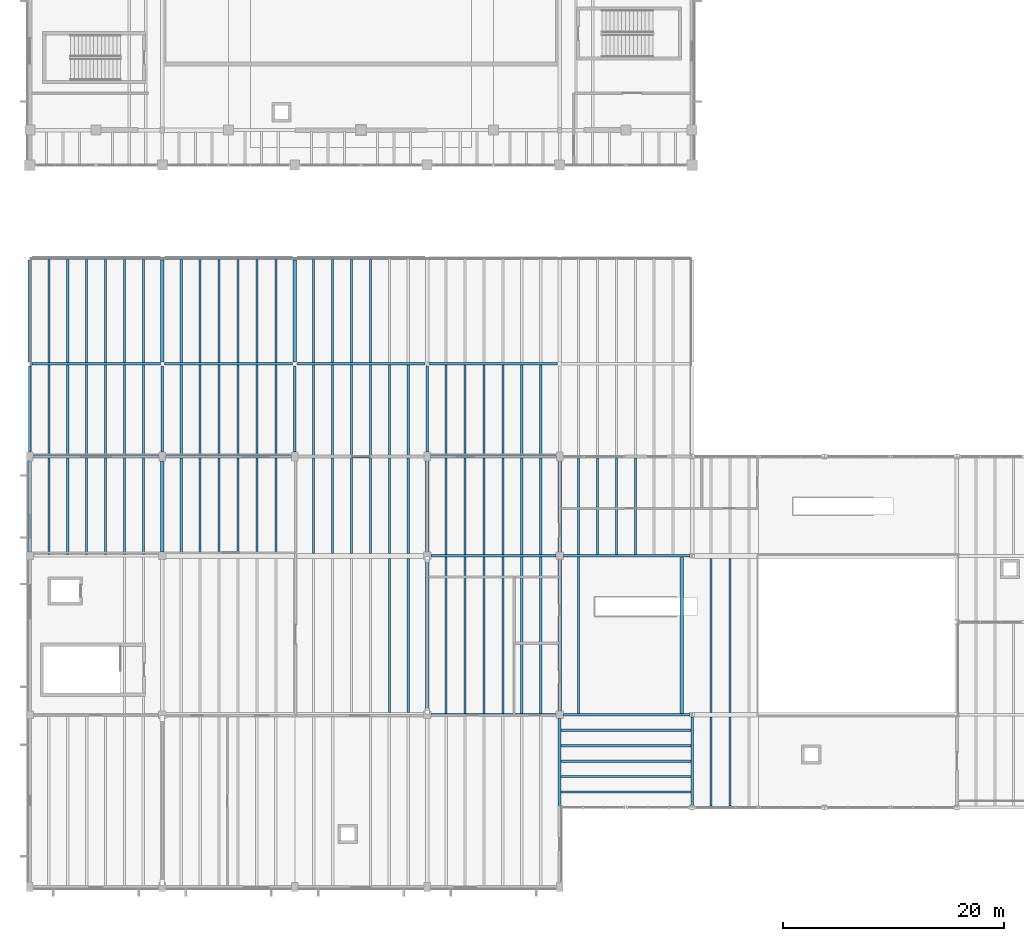
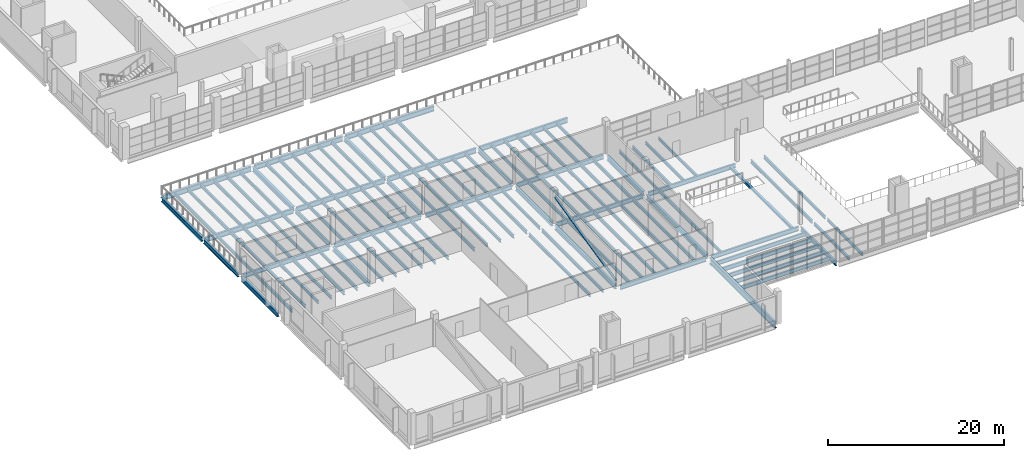
# One storey, part 11 of 78: 117 beams, 1 member.
"""IFC4 building model written with IfcOpenShell, lengths in metres."""

from ifc_helpers import new_model, si_unit, direction, frame, origin, origin_2d, place, context, subcontext, project, spatial, hollow_circle, i_section, extrude, material, material_profile, profile_set, type_object, element, save


model = new_model("IFC4")

# Units and contexts
model_context = context("Model", 3, precision=1e-05, world=origin(), true_north=direction((0.0, 1.0)))
body_context = subcontext(model_context, "Body", "Model", "MODEL_VIEW")
ifc_project = project(units=[si_unit("LENGTHUNIT", "METRE"), si_unit("AREAUNIT", "SQUARE_METRE"), si_unit("VOLUMEUNIT", "CUBIC_METRE"), si_unit("PLANEANGLEUNIT", "RADIAN"), si_unit("MASSUNIT", "GRAM", prefix="KILO")], contexts=[model_context])

# Site, building, storey
site_placement = place(None, origin())
site = spatial("IfcSite", under=ifc_project, at=site_placement, CompositionType="ELEMENT")
building_placement = place(site_placement, origin())
building = spatial("IfcBuilding", under=site, at=building_placement, Name="Kelmvaro Bay Concert Hall", CompositionType="ELEMENT")
storey_placement = place(building_placement, frame((0.0, 0.0, 9.300048828125)))
storey = spatial("IfcBuildingStorey", under=building, at=storey_placement, Name="L02", CompositionType="ELEMENT", Elevation=9.300048828125)

# Beams
ifc_material_1 = material(Name="Steel ASTM A992 Grade 50", Category="steel")
ifc_material_profile_1 = material_profile(ifc_material_1, i_section(OverallWidth=0.19189453125, OverallDepth=0.4619140625, WebThickness=0.010498046875, FlangeThickness=0.017578125, at=origin_2d()), Name="W18X60")
ifc_profile_set_1 = profile_set([ifc_material_profile_1], Name="Steel ASTM A992 Grade 50")
beam_type_1 = type_object("IfcBeamType", Name="Acoustic Box Floor Joist W18x60", PredefinedType="JOIST", material=ifc_profile_set_1)
for number, where, z_axis, x_axis, name in (
    (1, (32.5712890625, 15.824951171875, -0.48095703125), (0.0, 1.0, 0.0), (-1.0, 0.0, 0.0), "L02 Floor Joist JST-L02-0942"),
    (2, (34.28564453125, 15.824951171875, -0.48095703125), (0.0, 1.0, 0.0), (-1.0, 0.0, 0.0), "L02 Floor Joist JST-L02-0943"),
):
    element("IfcBeam", number, at=place(storey_placement, frame(where, z_axis=z_axis, x_axis=x_axis)), inside=storey, type_object=beam_type_1, Name=name, PredefinedType="JOIST", context=body_context, shape_type="SweptSolid", body=[
        extrude(i_section(OverallWidth=0.19189453125, OverallDepth=0.4619140625, WebThickness=0.010498046875, FlangeThickness=0.017578125, at=origin_2d()), origin(), (0.0, 0.0, 1.0), 13.949951171875),
    ])
for number, where, z_axis, x_axis, name in (
    (3, (37.71435546875, 15.714111328125, -0.48095703125), (0.0, 1.0, 0.0), (-1.0, 0.0, 0.0), "L02 Floor Joist JST-L02-0944"),
    (4, (39.4287109375, 15.714111328125, -0.48095703125), (0.0, 1.0, 0.0), (-1.0, 0.0, 0.0), "L02 Floor Joist JST-L02-0945"),
    (5, (41.142822265625, 15.714111328125, -0.48095703125), (0.0, 1.0, 0.0), (-1.0, 0.0, 0.0), "L02 Floor Joist JST-L02-0946"),
    (6, (42.857177734375, 15.714111328125, -0.48095703125), (0.0, 1.0, 0.0), (-1.0, 0.0, 0.0), "L02 Floor Joist JST-L02-0947"),
    (7, (44.5712890625, 15.714111328125, -0.48095703125), (0.0, 1.0, 0.0), (-1.0, 0.0, 0.0), "L02 Floor Joist JST-L02-0948"),
    (8, (46.28564453125, 15.714111328125, -0.48095703125), (0.0, 1.0, 0.0), (-1.0, 0.0, 0.0), "L02 Floor Joist JST-L02-0949"),
    (9, (49.71435546875, 15.714111328125, -0.48095703125), (0.0, 1.0, 0.0), (-1.0, 0.0, 0.0), "L02 Floor Joist JST-L02-0950"),
):
    element("IfcBeam", number, at=place(storey_placement, frame(where, z_axis=z_axis, x_axis=x_axis)), inside=storey, type_object=beam_type_1, Name=name, PredefinedType="JOIST", context=body_context, shape_type="SweptSolid", body=[
        extrude(i_section(OverallWidth=0.19189453125, OverallDepth=0.4619140625, WebThickness=0.010498046875, FlangeThickness=0.017578125, at=origin_2d()), origin(), (0.0, 0.0, 1.0), 14.171875),
    ])
for number, where, z_axis, x_axis, name in (
    (10, (61.71435546875, 15.824951171875, -0.48095703125), (0.0, 1.0, 0.0), (-1.0, 0.0, 0.0), "L02 Floor Joist JST-L02-0951"),
    (11, (63.4287109375, 15.824951171875, -0.48095703125), (0.0, 1.0, 0.0), (-1.0, 0.0, 0.0), "L02 Floor Joist JST-L02-0952"),
):
    element("IfcBeam", number, at=place(storey_placement, frame(where, z_axis=z_axis, x_axis=x_axis)), inside=storey, type_object=beam_type_1, Name=name, PredefinedType="JOIST", context=body_context, shape_type="SweptSolid", body=[
        extrude(i_section(OverallWidth=0.19189453125, OverallDepth=0.4619140625, WebThickness=0.010498046875, FlangeThickness=0.017578125, at=origin_2d()), origin(), (0.0, 0.0, 1.0), 13.949951171875),
    ])
ifc_material_2 = material(Name="Steel ASTM A992 Grade 50", Category="steel")
ifc_material_profile_2 = material_profile(ifc_material_2, i_section(OverallWidth=0.323974609375, OverallDepth=0.611083984375, WebThickness=0.0126953125, FlangeThickness=0.01904296875, at=origin_2d()), Name="W24X104")
ifc_profile_set_2 = profile_set([ifc_material_profile_2], Name="Steel ASTM A992 Grade 50")
beam_type_2 = type_object("IfcBeamType", Name="Foyer Frame Girder W24x104", PredefinedType="BEAM", material=ifc_profile_set_2)
beam_1_placement = place(storey_placement, frame((0.0, 30.35009765625, -0.5556640625), z_axis=(0.0, 1.0, 0.0), x_axis=(-1.0, 0.0, 0.0)))
element("IfcBeam", 12, at=beam_1_placement, inside=storey, type_object=beam_type_2, Name="L02 Girder BM-L02-NS-0797", PredefinedType="BEAM", context=body_context, shape_type="SweptSolid", body=[
    extrude(i_section(OverallWidth=0.323974609375, OverallDepth=0.611083984375, WebThickness=0.0126953125, FlangeThickness=0.01904296875, at=origin_2d()), origin(), (0.0, 0.0, 1.0), 8.25),
])
beam_2_placement = place(storey_placement, frame((0.0, 47.58642578125, -0.545654296875), z_axis=(0.0, 1.0, 0.0), x_axis=(-1.0, 0.0, 0.0)))
element("IfcBeam", 13, at=beam_2_placement, inside=storey, type_object=beam_type_2, Name="L02 Girder BM-L02-NS-0799", PredefinedType="BEAM", context=body_context, shape_type="SweptSolid", body=[
    extrude(i_section(OverallWidth=0.323974609375, OverallDepth=0.611083984375, WebThickness=0.0126953125, FlangeThickness=0.01904296875, at=origin_2d()), origin(), (0.0, 0.0, 1.0), 9.22705078125),
])
beam_3_placement = place(storey_placement, frame((12.0, 30.35009765625, -0.5556640625), z_axis=(0.0, 1.0, 0.0), x_axis=(-1.0, 0.0, 0.0)))
element("IfcBeam", 14, at=beam_3_placement, inside=storey, type_object=beam_type_2, Name="L02 Girder BM-L02-NS-0807", PredefinedType="BEAM", context=body_context, shape_type="SweptSolid", body=[
    extrude(i_section(OverallWidth=0.323974609375, OverallDepth=0.611083984375, WebThickness=0.0126953125, FlangeThickness=0.01904296875, at=origin_2d()), origin(), (0.0, 0.0, 1.0), 8.25),
])
for number, where, z_axis, x_axis, name in (
    (15, (12.0, 47.58642578125, -0.545654296875), (0.0, 1.0, 0.0), (-1.0, 0.0, 0.0), "L02 Girder BM-L02-NS-0809"),
    (16, (24.0, 47.58642578125, -0.545654296875), (0.0, 1.0, 0.0), (-1.0, 0.0, 0.0), "L02 Girder BM-L02-NS-0816"),
):
    element("IfcBeam", number, at=place(storey_placement, frame(where, z_axis=z_axis, x_axis=x_axis)), inside=storey, type_object=beam_type_2, Name=name, PredefinedType="BEAM", context=body_context, shape_type="SweptSolid", body=[
        extrude(i_section(OverallWidth=0.323974609375, OverallDepth=0.611083984375, WebThickness=0.0126953125, FlangeThickness=0.01904296875, at=origin_2d()), origin(), (0.0, 0.0, 1.0), 9.22705078125),
    ])
beam_4_placement = place(storey_placement, frame((36.0, 15.949951171875, -0.5556640625), z_axis=(0.0, 1.0, 0.0), x_axis=(-1.0, 0.0, 0.0)))
element("IfcBeam", 17, at=beam_4_placement, inside=storey, type_object=beam_type_2, Name="L02 Girder BM-L02-NS-0818", PredefinedType="BEAM", context=body_context, shape_type="SweptSolid", body=[
    extrude(i_section(OverallWidth=0.323974609375, OverallDepth=0.611083984375, WebThickness=0.0126953125, FlangeThickness=0.01904296875, at=origin_2d()), origin(), (0.0, 0.0, 1.0), 13.699951171875),
])
beam_5_placement = place(storey_placement, frame((36.0, 30.35009765625, -0.5556640625), z_axis=(0.0, 1.0, 0.0), x_axis=(-1.0, 0.0, 0.0)))
element("IfcBeam", 18, at=beam_5_placement, inside=storey, type_object=beam_type_2, Name="L02 Girder BM-L02-NS-0819", PredefinedType="BEAM", context=body_context, shape_type="SweptSolid", body=[
    extrude(i_section(OverallWidth=0.323974609375, OverallDepth=0.611083984375, WebThickness=0.0126953125, FlangeThickness=0.01904296875, at=origin_2d()), origin(), (0.0, 0.0, 1.0), 8.25),
])
beam_6_placement = place(storey_placement, frame((48.0, 15.949951171875, -0.5556640625), z_axis=(0.0, 1.0, 0.0), x_axis=(-1.0, 0.0, 0.0)))
element("IfcBeam", 19, at=beam_6_placement, inside=storey, type_object=beam_type_2, Name="L02 Girder BM-L02-NS-0823", PredefinedType="BEAM", context=body_context, shape_type="SweptSolid", body=[
    extrude(i_section(OverallWidth=0.323974609375, OverallDepth=0.611083984375, WebThickness=0.0126953125, FlangeThickness=0.01904296875, at=origin_2d()), origin(), (0.0, 0.0, 1.0), 13.699951171875),
])
beam_7_placement = place(storey_placement, frame((48.0, 30.35009765625, -0.5556640625), z_axis=(0.0, 1.0, 0.0), x_axis=(-1.0, 0.0, 0.0)))
element("IfcBeam", 20, at=beam_7_placement, inside=storey, type_object=beam_type_2, Name="L02 Girder BM-L02-NS-0824", PredefinedType="BEAM", context=body_context, shape_type="SweptSolid", body=[
    extrude(i_section(OverallWidth=0.323974609375, OverallDepth=0.611083984375, WebThickness=0.0126953125, FlangeThickness=0.01904296875, at=origin_2d()), origin(), (0.0, 0.0, 1.0), 8.25),
])

# Member
ifc_material_3 = material(Name="Steel ASTM A500 Grade C", Category="steel")
ifc_material_profile_3 = material_profile(ifc_material_3, hollow_circle(Radius=0.162109375, WallThickness=0.012451171875, at=origin_2d()), Name="CHS324X12")
ifc_profile_set_3 = profile_set([ifc_material_profile_3], Name="Steel ASTM A500 Grade C")
member_type = type_object("IfcMemberType", Name="Foyer Portal Brace CHS324x12", PredefinedType="BRACE", material=ifc_profile_set_3)
member_placement = place(storey_placement, frame((36.0, 15.951904296875, 0.350341796875), z_axis=(0.0, 0.973786509129, 0.227463919421), x_axis=(-1.0, 0.0, 0.0)))
element("IfcMember", 21, at=member_placement, inside=storey, type_object=member_type, Name="L02 Lateral Diagonal Brace V3-ET", PredefinedType="BRACE", context=body_context, shape_type="SweptSolid", body=[
    extrude(hollow_circle(Radius=0.162109375, WallThickness=0.012451171875, at=origin_2d()), origin(), (0.0, 0.0, 1.0), 14.064697265625),
])

# Beams
ifc_material_4 = material(Name="Steel ASTM A992 Grade 50", Category="steel")
ifc_material_profile_4 = material_profile(ifc_material_4, i_section(OverallWidth=0.256103515625, OverallDepth=0.693115234375, WebThickness=0.014404296875, FlangeThickness=0.023681640625, at=origin_2d()), Name="W27X114")
ifc_profile_set_4 = profile_set([ifc_material_profile_4], Name="Steel ASTM A992 Grade 50")
beam_type_3 = type_object("IfcBeamType", Name="Foyer Primary Girder W27x114", PredefinedType="BEAM", material=ifc_profile_set_4)
for number, where, z_axis, x_axis, name in (
    (22, (0.1865234375, 47.39990234375, -0.586669921875), (1.0, 0.0, 0.0), (0.0, 1.0, 0.0), "L02 Girder BM-L02-EW-0735"),
    (23, (12.1865234375, 47.39990234375, -0.586669921875), (1.0, 0.0, 0.0), (0.0, 1.0, 0.0), "L02 Girder BM-L02-EW-0736"),
    (24, (24.1865234375, 47.39990234375, -0.586669921875), (1.0, 0.0, 0.0), (0.0, 1.0, 0.0), "L02 Girder BM-L02-EW-0737"),
    (25, (36.1865234375, 47.39990234375, -0.586669921875), (1.0, 0.0, 0.0), (0.0, 1.0, 0.0), "L02 Girder BM-L02-EW-0738"),
    (26, (0.1865234375, 57.0, -0.586669921875), (1.0, 0.0, 0.0), (0.0, 1.0, 0.0), "L02 Girder BM-L02-EW-0742"),
    (27, (12.1865234375, 57.0, -0.586669921875), (1.0, 0.0, 0.0), (0.0, 1.0, 0.0), "L02 Girder BM-L02-EW-0743"),
    (28, (24.1865234375, 57.0, -0.586669921875), (1.0, 0.0, 0.0), (0.0, 1.0, 0.0), "L02 Girder BM-L02-EW-0744"),
):
    element("IfcBeam", number, at=place(storey_placement, frame(where, z_axis=z_axis, x_axis=x_axis)), inside=storey, type_object=beam_type_3, Name=name, PredefinedType="BEAM", context=body_context, shape_type="SweptSolid", body=[
        extrude(i_section(OverallWidth=0.256103515625, OverallDepth=0.693115234375, WebThickness=0.014404296875, FlangeThickness=0.023681640625, at=origin_2d()), origin(), (0.0, 0.0, 1.0), 11.626953125),
    ])
ifc_material_5 = material(Name="Steel ASTM A992 Grade 50", Category="steel")
ifc_material_profile_5 = material_profile(ifc_material_5, i_section(OverallWidth=0.2919921875, OverallDepth=0.845947265625, WebThickness=0.015380859375, FlangeThickness=0.0244140625, at=origin_2d()), Name="W33X141")
ifc_profile_set_5 = profile_set([ifc_material_profile_5], Name="Steel ASTM A992 Grade 50")
beam_type_4 = type_object("IfcBeamType", Name="Hall Gallery Girder W33x141", PredefinedType="BEAM", material=ifc_profile_set_5)
beam_8_placement = place(storey_placement, frame((48.0, 0.39990234375, -0.673095703125), z_axis=(0.0, 1.0, 0.0), x_axis=(-1.0, 0.0, 0.0)))
element("IfcBeam", 29, at=beam_8_placement, inside=storey, type_object=beam_type_4, Name="L02 Girder BM-L02-NS-0822", PredefinedType="BEAM", context=body_context, shape_type="SweptSolid", body=[
    extrude(i_section(OverallWidth=0.2919921875, OverallDepth=0.845947265625, WebThickness=0.015380859375, FlangeThickness=0.0244140625, at=origin_2d()), origin(), (0.0, 0.0, 1.0), 14.85009765625),
])
ifc_material_6 = material(Name="Steel ASTM A992 Grade 50", Category="steel")
ifc_material_profile_6 = material_profile(ifc_material_6, i_section(OverallWidth=0.2099609375, OverallDepth=0.535888671875, WebThickness=0.010986328125, FlangeThickness=0.017333984375, at=origin_2d()), Name="W21X68")
ifc_profile_set_6 = profile_set([ifc_material_profile_6], Name="Steel ASTM A992 Grade 50")
beam_type_5 = type_object("IfcBeamType", Name="Heavy Floor Joist W21x68", PredefinedType="JOIST", material=ifc_profile_set_6)
for number, where, z_axis, x_axis, name in (
    (30, (48.14599609375, 8.60009765625, -0.51806640625), (1.0, 0.0, 0.0), (0.0, 1.0, 0.0), "L02 Floor Joist JST-L02-EW-1323"),
    (31, (48.14599609375, 10.0, -0.51806640625), (1.0, 0.0, 0.0), (0.0, 1.0, 0.0), "L02 Floor Joist JST-L02-EW-1324"),
    (32, (48.14599609375, 11.39990234375, -0.51806640625), (1.0, 0.0, 0.0), (0.0, 1.0, 0.0), "L02 Floor Joist JST-L02-EW-1325"),
    (33, (48.14599609375, 12.800048828125, -0.51806640625), (1.0, 0.0, 0.0), (0.0, 1.0, 0.0), "L02 Floor Joist JST-L02-EW-1326"),
    (34, (48.14599609375, 14.199951171875, -0.51806640625), (1.0, 0.0, 0.0), (0.0, 1.0, 0.0), "L02 Floor Joist JST-L02-EW-1327"),
):
    element("IfcBeam", number, at=place(storey_placement, frame(where, z_axis=z_axis, x_axis=x_axis)), inside=storey, type_object=beam_type_5, Name=name, PredefinedType="JOIST", context=body_context, shape_type="SweptSolid", body=[
        extrude(i_section(OverallWidth=0.2099609375, OverallDepth=0.535888671875, WebThickness=0.010986328125, FlangeThickness=0.017333984375, at=origin_2d()), origin(), (0.0, 0.0, 1.0), 11.739501953125),
    ])
ifc_material_7 = material(Name="Steel ASTM A992 Grade 50", Category="steel")
ifc_material_profile_7 = material_profile(ifc_material_7, i_section(OverallWidth=0.22802734375, OverallDepth=0.60693359375, WebThickness=0.01123046875, FlangeThickness=0.017333984375, at=origin_2d()), Name="W24X76")
ifc_profile_set_7 = profile_set([ifc_material_profile_7], Name="Steel ASTM A992 Grade 50")
beam_type_6 = type_object("IfcBeamType", Name="Pavilion Secondary Girder W24x76", PredefinedType="BEAM", material=ifc_profile_set_7)
beam_9_placement = place(storey_placement, frame((36.35009765625, 15.60009765625, -0.553466796875), z_axis=(1.0, 0.0, 0.0), x_axis=(0.0, 1.0, 0.0)))
element("IfcBeam", 35, at=beam_9_placement, inside=storey, type_object=beam_type_6, Name="L02 Girder BM-L02-EW-0694", PredefinedType="BEAM", context=body_context, shape_type="SweptSolid", body=[
    extrude(i_section(OverallWidth=0.22802734375, OverallDepth=0.60693359375, WebThickness=0.01123046875, FlangeThickness=0.017333984375, at=origin_2d()), origin(), (0.0, 0.0, 1.0), 11.2998046875),
])
beam_10_placement = place(storey_placement, frame((48.35009765625, 15.60009765625, -0.553466796875), z_axis=(1.0, 0.0, 0.0), x_axis=(0.0, 1.0, 0.0)))
element("IfcBeam", 36, at=beam_10_placement, inside=storey, type_object=beam_type_6, Name="L02 Girder BM-L02-EW-0695", PredefinedType="BEAM", context=body_context, shape_type="SweptSolid", body=[
    extrude(i_section(OverallWidth=0.22802734375, OverallDepth=0.60693359375, WebThickness=0.01123046875, FlangeThickness=0.017333984375, at=origin_2d()), origin(), (0.0, 0.0, 1.0), 11.450439453125),
])
beam_11_placement = place(storey_placement, frame((36.35009765625, 30.0, -0.553466796875), z_axis=(1.0, 0.0, 0.0), x_axis=(0.0, 1.0, 0.0)))
element("IfcBeam", 37, at=beam_11_placement, inside=storey, type_object=beam_type_6, Name="L02 Girder BM-L02-EW-0711", PredefinedType="BEAM", context=body_context, shape_type="SweptSolid", body=[
    extrude(i_section(OverallWidth=0.22802734375, OverallDepth=0.60693359375, WebThickness=0.01123046875, FlangeThickness=0.017333984375, at=origin_2d()), origin(), (0.0, 0.0, 1.0), 11.2998046875),
])
beam_12_placement = place(storey_placement, frame((48.35009765625, 30.0, -0.553466796875), z_axis=(1.0, 0.0, 0.0), x_axis=(0.0, 1.0, 0.0)))
element("IfcBeam", 38, at=beam_12_placement, inside=storey, type_object=beam_type_6, Name="L02 Girder BM-L02-EW-0712", PredefinedType="BEAM", context=body_context, shape_type="SweptSolid", body=[
    extrude(i_section(OverallWidth=0.22802734375, OverallDepth=0.60693359375, WebThickness=0.01123046875, FlangeThickness=0.017333984375, at=origin_2d()), origin(), (0.0, 0.0, 1.0), 11.450439453125),
])
for number, where, z_axis, x_axis, name in (
    (39, (0.300048828125, 39.0, -0.553466796875), (1.0, 0.0, 0.0), (0.0, 1.0, 0.0), "L02 Girder BM-L02-EW-0721"),
    (40, (12.300048828125, 39.0, -0.553466796875), (1.0, 0.0, 0.0), (0.0, 1.0, 0.0), "L02 Girder BM-L02-EW-0722"),
    (41, (24.300048828125, 39.0, -0.553466796875), (1.0, 0.0, 0.0), (0.0, 1.0, 0.0), "L02 Girder BM-L02-EW-0723"),
    (42, (36.300048828125, 39.0, -0.553466796875), (1.0, 0.0, 0.0), (0.0, 1.0, 0.0), "L02 Girder BM-L02-EW-0724"),
):
    element("IfcBeam", number, at=place(storey_placement, frame(where, z_axis=z_axis, x_axis=x_axis)), inside=storey, type_object=beam_type_6, Name=name, PredefinedType="BEAM", context=body_context, shape_type="SweptSolid", body=[
        extrude(i_section(OverallWidth=0.22802734375, OverallDepth=0.60693359375, WebThickness=0.01123046875, FlangeThickness=0.017333984375, at=origin_2d()), origin(), (0.0, 0.0, 1.0), 11.39990234375),
    ])
ifc_material_8 = material(Name="Steel ASTM A992 Grade 50", Category="steel")
ifc_material_profile_8 = material_profile(ifc_material_8, i_section(OverallWidth=0.306884765625, OverallDepth=0.318115234375, WebThickness=0.01318359375, FlangeThickness=0.0205078125, at=origin_2d()), Name="W12X87")
ifc_profile_set_8 = profile_set([ifc_material_profile_8], Name="Steel ASTM A992 Grade 50")
beam_type_7 = type_object("IfcBeamType", Name="Roof Hatch Trimmer Beam W12x87", PredefinedType="BEAM", material=ifc_profile_set_8)
beam_13_placement = place(storey_placement, frame((59.050048828125, 15.72998046875, -0.408935546875), z_axis=(0.0, 1.0, 0.0), x_axis=(-1.0, 0.0, 0.0)))
element("IfcBeam", 43, at=beam_13_placement, inside=storey, type_object=beam_type_7, Name="L02 Stair Well Trimmer Beam 1", PredefinedType="BEAM", context=body_context, shape_type="SweptSolid", body=[
    extrude(i_section(OverallWidth=0.306884765625, OverallDepth=0.318115234375, WebThickness=0.01318359375, FlangeThickness=0.0205078125, at=origin_2d()), origin(), (0.0, 0.0, 1.0), 14.14013671875),
])
ifc_material_9 = material(Name="Steel ASTM A992 Grade 50", Category="steel")
ifc_material_profile_9 = material_profile(ifc_material_9, i_section(OverallWidth=0.19091796875, OverallDepth=0.45703125, WebThickness=0.009033203125, FlangeThickness=0.014404296875, at=origin_2d()), Name="W18X50")
ifc_profile_set_9 = profile_set([ifc_material_profile_9], Name="Steel ASTM A992 Grade 50")
beam_type_8 = type_object("IfcBeamType", Name="Standard Composite Floor Joist W18x50", PredefinedType="JOIST", material=ifc_profile_set_9)
for number, where, z_axis, x_axis, name in (
    (44, (1.71435546875, 30.114013671875, -0.478515625), (0.0, 1.0, 0.0), (-1.0, 0.0, 0.0), "L02 Floor Joist JST-L02-1021"),
    (45, (3.4287109375, 30.114013671875, -0.478515625), (0.0, 1.0, 0.0), (-1.0, 0.0, 0.0), "L02 Floor Joist JST-L02-1022"),
    (46, (5.142822265625, 30.114013671875, -0.478515625), (0.0, 1.0, 0.0), (-1.0, 0.0, 0.0), "L02 Floor Joist JST-L02-1023"),
    (47, (6.857177734375, 30.114013671875, -0.478515625), (0.0, 1.0, 0.0), (-1.0, 0.0, 0.0), "L02 Floor Joist JST-L02-1024"),
    (48, (8.5712890625, 30.114013671875, -0.478515625), (0.0, 1.0, 0.0), (-1.0, 0.0, 0.0), "L02 Floor Joist JST-L02-1025"),
    (49, (10.28564453125, 30.114013671875, -0.478515625), (0.0, 1.0, 0.0), (-1.0, 0.0, 0.0), "L02 Floor Joist JST-L02-1026"),
):
    element("IfcBeam", number, at=place(storey_placement, frame(where, z_axis=z_axis, x_axis=x_axis)), inside=storey, type_object=beam_type_8, Name=name, PredefinedType="JOIST", context=body_context, shape_type="SweptSolid", body=[
        extrude(i_section(OverallWidth=0.19091796875, OverallDepth=0.45703125, WebThickness=0.009033203125, FlangeThickness=0.014404296875, at=origin_2d()), origin(), (0.0, 0.0, 1.0), 8.77197265625),
    ])
for number, where, z_axis, x_axis, name in (
    (50, (13.71435546875, 30.22509765625, -0.478515625), (0.0, 1.0, 0.0), (-1.0, 0.0, 0.0), "L02 Floor Joist JST-L02-1027"),
    (51, (15.4287109375, 30.22509765625, -0.478515625), (0.0, 1.0, 0.0), (-1.0, 0.0, 0.0), "L02 Floor Joist JST-L02-1028"),
    (52, (17.142822265625, 30.22509765625, -0.478515625), (0.0, 1.0, 0.0), (-1.0, 0.0, 0.0), "L02 Floor Joist JST-L02-1029"),
    (53, (18.857177734375, 30.22509765625, -0.478515625), (0.0, 1.0, 0.0), (-1.0, 0.0, 0.0), "L02 Floor Joist JST-L02-1030"),
    (54, (20.5712890625, 30.22509765625, -0.478515625), (0.0, 1.0, 0.0), (-1.0, 0.0, 0.0), "L02 Floor Joist JST-L02-1031"),
    (55, (22.28564453125, 30.22509765625, -0.478515625), (0.0, 1.0, 0.0), (-1.0, 0.0, 0.0), "L02 Floor Joist JST-L02-1032"),
    (56, (25.71435546875, 30.22509765625, -0.478515625), (0.0, 1.0, 0.0), (-1.0, 0.0, 0.0), "L02 Floor Joist JST-L02-1033"),
    (57, (27.4287109375, 30.22509765625, -0.478515625), (0.0, 1.0, 0.0), (-1.0, 0.0, 0.0), "L02 Floor Joist JST-L02-1034"),
    (58, (29.142822265625, 30.22509765625, -0.478515625), (0.0, 1.0, 0.0), (-1.0, 0.0, 0.0), "L02 Floor Joist JST-L02-1035"),
    (59, (30.857177734375, 30.22509765625, -0.478515625), (0.0, 1.0, 0.0), (-1.0, 0.0, 0.0), "L02 Floor Joist JST-L02-1036"),
    (60, (32.5712890625, 30.22509765625, -0.478515625), (0.0, 1.0, 0.0), (-1.0, 0.0, 0.0), "L02 Floor Joist JST-L02-1037"),
    (61, (34.28564453125, 30.22509765625, -0.478515625), (0.0, 1.0, 0.0), (-1.0, 0.0, 0.0), "L02 Floor Joist JST-L02-1038"),
):
    element("IfcBeam", number, at=place(storey_placement, frame(where, z_axis=z_axis, x_axis=x_axis)), inside=storey, type_object=beam_type_8, Name=name, PredefinedType="JOIST", context=body_context, shape_type="SweptSolid", body=[
        extrude(i_section(OverallWidth=0.19091796875, OverallDepth=0.45703125, WebThickness=0.009033203125, FlangeThickness=0.014404296875, at=origin_2d()), origin(), (0.0, 0.0, 1.0), 8.660888671875),
    ])
for number, where, z_axis, x_axis, name in (
    (62, (37.71435546875, 30.114013671875, -0.478515625), (0.0, 1.0, 0.0), (-1.0, 0.0, 0.0), "L02 Floor Joist JST-L02-1039"),
    (63, (39.4287109375, 30.114013671875, -0.478515625), (0.0, 1.0, 0.0), (-1.0, 0.0, 0.0), "L02 Floor Joist JST-L02-1040"),
    (64, (41.142822265625, 30.114013671875, -0.478515625), (0.0, 1.0, 0.0), (-1.0, 0.0, 0.0), "L02 Floor Joist JST-L02-1041"),
    (65, (42.857177734375, 30.114013671875, -0.478515625), (0.0, 1.0, 0.0), (-1.0, 0.0, 0.0), "L02 Floor Joist JST-L02-1042"),
    (66, (44.5712890625, 30.114013671875, -0.478515625), (0.0, 1.0, 0.0), (-1.0, 0.0, 0.0), "L02 Floor Joist JST-L02-1043"),
    (67, (46.28564453125, 30.114013671875, -0.478515625), (0.0, 1.0, 0.0), (-1.0, 0.0, 0.0), "L02 Floor Joist JST-L02-1044"),
):
    element("IfcBeam", number, at=place(storey_placement, frame(where, z_axis=z_axis, x_axis=x_axis)), inside=storey, type_object=beam_type_8, Name=name, PredefinedType="JOIST", context=body_context, shape_type="SweptSolid", body=[
        extrude(i_section(OverallWidth=0.19091796875, OverallDepth=0.45703125, WebThickness=0.009033203125, FlangeThickness=0.014404296875, at=origin_2d()), origin(), (0.0, 0.0, 1.0), 8.77197265625),
    ])
for number, where, z_axis, x_axis, name in (
    (68, (1.71435546875, 39.114013671875, -0.468505859375), (0.0, 1.0, 0.0), (-1.0, 0.0, 0.0), "L02 Floor Joist JST-L02-1096"),
    (69, (3.4287109375, 39.114013671875, -0.468505859375), (0.0, 1.0, 0.0), (-1.0, 0.0, 0.0), "L02 Floor Joist JST-L02-1097"),
    (70, (5.142822265625, 39.114013671875, -0.468505859375), (0.0, 1.0, 0.0), (-1.0, 0.0, 0.0), "L02 Floor Joist JST-L02-1098"),
    (71, (6.857177734375, 39.114013671875, -0.468505859375), (0.0, 1.0, 0.0), (-1.0, 0.0, 0.0), "L02 Floor Joist JST-L02-1099"),
    (72, (8.5712890625, 39.114013671875, -0.468505859375), (0.0, 1.0, 0.0), (-1.0, 0.0, 0.0), "L02 Floor Joist JST-L02-1100"),
    (73, (10.28564453125, 39.114013671875, -0.468505859375), (0.0, 1.0, 0.0), (-1.0, 0.0, 0.0), "L02 Floor Joist JST-L02-1101"),
    (74, (13.71435546875, 39.114013671875, -0.468505859375), (0.0, 1.0, 0.0), (-1.0, 0.0, 0.0), "L02 Floor Joist JST-L02-1102"),
    (75, (15.4287109375, 39.114013671875, -0.468505859375), (0.0, 1.0, 0.0), (-1.0, 0.0, 0.0), "L02 Floor Joist JST-L02-1103"),
    (76, (17.142822265625, 39.114013671875, -0.468505859375), (0.0, 1.0, 0.0), (-1.0, 0.0, 0.0), "L02 Floor Joist JST-L02-1104"),
    (77, (18.857177734375, 39.114013671875, -0.468505859375), (0.0, 1.0, 0.0), (-1.0, 0.0, 0.0), "L02 Floor Joist JST-L02-1105"),
    (78, (20.5712890625, 39.114013671875, -0.468505859375), (0.0, 1.0, 0.0), (-1.0, 0.0, 0.0), "L02 Floor Joist JST-L02-1106"),
    (79, (22.28564453125, 39.114013671875, -0.468505859375), (0.0, 1.0, 0.0), (-1.0, 0.0, 0.0), "L02 Floor Joist JST-L02-1107"),
    (80, (25.71435546875, 39.114013671875, -0.468505859375), (0.0, 1.0, 0.0), (-1.0, 0.0, 0.0), "L02 Floor Joist JST-L02-1108"),
    (81, (27.4287109375, 39.114013671875, -0.468505859375), (0.0, 1.0, 0.0), (-1.0, 0.0, 0.0), "L02 Floor Joist JST-L02-1109"),
    (82, (29.142822265625, 39.114013671875, -0.468505859375), (0.0, 1.0, 0.0), (-1.0, 0.0, 0.0), "L02 Floor Joist JST-L02-1110"),
    (83, (30.857177734375, 39.114013671875, -0.468505859375), (0.0, 1.0, 0.0), (-1.0, 0.0, 0.0), "L02 Floor Joist JST-L02-1111"),
    (84, (32.5712890625, 39.114013671875, -0.468505859375), (0.0, 1.0, 0.0), (-1.0, 0.0, 0.0), "L02 Floor Joist JST-L02-1112"),
    (85, (34.28564453125, 39.114013671875, -0.468505859375), (0.0, 1.0, 0.0), (-1.0, 0.0, 0.0), "L02 Floor Joist JST-L02-1113"),
    (86, (37.71435546875, 39.114013671875, -0.468505859375), (0.0, 1.0, 0.0), (-1.0, 0.0, 0.0), "L02 Floor Joist JST-L02-1114"),
    (87, (39.4287109375, 39.114013671875, -0.468505859375), (0.0, 1.0, 0.0), (-1.0, 0.0, 0.0), "L02 Floor Joist JST-L02-1115"),
    (88, (41.142822265625, 39.114013671875, -0.468505859375), (0.0, 1.0, 0.0), (-1.0, 0.0, 0.0), "L02 Floor Joist JST-L02-1116"),
    (89, (42.857177734375, 39.114013671875, -0.468505859375), (0.0, 1.0, 0.0), (-1.0, 0.0, 0.0), "L02 Floor Joist JST-L02-1117"),
    (90, (44.5712890625, 39.114013671875, -0.468505859375), (0.0, 1.0, 0.0), (-1.0, 0.0, 0.0), "L02 Floor Joist JST-L02-1118"),
    (91, (46.28564453125, 39.114013671875, -0.468505859375), (0.0, 1.0, 0.0), (-1.0, 0.0, 0.0), "L02 Floor Joist JST-L02-1119"),
):
    element("IfcBeam", number, at=place(storey_placement, frame(where, z_axis=z_axis, x_axis=x_axis)), inside=storey, type_object=beam_type_8, Name=name, PredefinedType="JOIST", context=body_context, shape_type="SweptSolid", body=[
        extrude(i_section(OverallWidth=0.19091796875, OverallDepth=0.45703125, WebThickness=0.009033203125, FlangeThickness=0.014404296875, at=origin_2d()), origin(), (0.0, 0.0, 1.0), 8.157958984375),
    ])
for number, where, z_axis, x_axis, name in (
    (92, (1.71435546875, 47.528076171875, -0.468505859375), (0.0, 1.0, 0.0), (-1.0, 0.0, 0.0), "L02 Floor Joist JST-L02-1138"),
    (93, (3.4287109375, 47.528076171875, -0.468505859375), (0.0, 1.0, 0.0), (-1.0, 0.0, 0.0), "L02 Floor Joist JST-L02-1139"),
    (94, (5.142822265625, 47.528076171875, -0.468505859375), (0.0, 1.0, 0.0), (-1.0, 0.0, 0.0), "L02 Floor Joist JST-L02-1140"),
    (95, (6.857177734375, 47.528076171875, -0.468505859375), (0.0, 1.0, 0.0), (-1.0, 0.0, 0.0), "L02 Floor Joist JST-L02-1141"),
    (96, (8.5712890625, 47.528076171875, -0.468505859375), (0.0, 1.0, 0.0), (-1.0, 0.0, 0.0), "L02 Floor Joist JST-L02-1142"),
    (97, (10.28564453125, 47.528076171875, -0.468505859375), (0.0, 1.0, 0.0), (-1.0, 0.0, 0.0), "L02 Floor Joist JST-L02-1143"),
    (98, (13.71435546875, 47.528076171875, -0.468505859375), (0.0, 1.0, 0.0), (-1.0, 0.0, 0.0), "L02 Floor Joist JST-L02-1144"),
    (99, (15.4287109375, 47.528076171875, -0.468505859375), (0.0, 1.0, 0.0), (-1.0, 0.0, 0.0), "L02 Floor Joist JST-L02-1145"),
    (100, (17.142822265625, 47.528076171875, -0.468505859375), (0.0, 1.0, 0.0), (-1.0, 0.0, 0.0), "L02 Floor Joist JST-L02-1146"),
    (101, (18.857177734375, 47.528076171875, -0.468505859375), (0.0, 1.0, 0.0), (-1.0, 0.0, 0.0), "L02 Floor Joist JST-L02-1147"),
    (102, (20.5712890625, 47.528076171875, -0.468505859375), (0.0, 1.0, 0.0), (-1.0, 0.0, 0.0), "L02 Floor Joist JST-L02-1148"),
    (103, (22.28564453125, 47.528076171875, -0.468505859375), (0.0, 1.0, 0.0), (-1.0, 0.0, 0.0), "L02 Floor Joist JST-L02-1149"),
    (104, (25.71435546875, 47.528076171875, -0.468505859375), (0.0, 1.0, 0.0), (-1.0, 0.0, 0.0), "L02 Floor Joist JST-L02-1150"),
    (105, (27.4287109375, 47.528076171875, -0.468505859375), (0.0, 1.0, 0.0), (-1.0, 0.0, 0.0), "L02 Floor Joist JST-L02-1151"),
    (106, (29.142822265625, 47.528076171875, -0.468505859375), (0.0, 1.0, 0.0), (-1.0, 0.0, 0.0), "L02 Floor Joist JST-L02-1152"),
    (107, (30.857177734375, 47.528076171875, -0.468505859375), (0.0, 1.0, 0.0), (-1.0, 0.0, 0.0), "L02 Floor Joist JST-L02-1153"),
):
    element("IfcBeam", number, at=place(storey_placement, frame(where, z_axis=z_axis, x_axis=x_axis)), inside=storey, type_object=beam_type_8, Name=name, PredefinedType="JOIST", context=body_context, shape_type="SweptSolid", body=[
        extrude(i_section(OverallWidth=0.19091796875, OverallDepth=0.45703125, WebThickness=0.009033203125, FlangeThickness=0.014404296875, at=origin_2d()), origin(), (0.0, 0.0, 1.0), 9.343994140625),
    ])
ifc_material_10 = material(Name="Steel ASTM A992 Grade 50", Category="steel")
ifc_material_profile_10 = material_profile(ifc_material_10, i_section(OverallWidth=0.179931640625, OverallDepth=0.4140625, WebThickness=0.009765625, FlangeThickness=0.01611328125, at=origin_2d()), Name="W16X50")
ifc_profile_set_10 = profile_set([ifc_material_profile_10], Name="Steel ASTM A992 Grade 50")
beam_type_9 = type_object("IfcBeamType", Name="Terrace Composite Joist W16x50", PredefinedType="JOIST", material=ifc_profile_set_10)
for number, where, z_axis, x_axis, name in (
    (108, (61.71435546875, 7.327880859375, -0.45703125), (0.0, 1.0, 0.0), (-1.0, 0.0, 0.0), "L02 Floor Joist JST-L02-0914"),
    (109, (63.4287109375, 7.327880859375, -0.45703125), (0.0, 1.0, 0.0), (-1.0, 0.0, 0.0), "L02 Floor Joist JST-L02-0915"),
):
    element("IfcBeam", number, at=place(storey_placement, frame(where, z_axis=z_axis, x_axis=x_axis)), inside=storey, type_object=beam_type_9, Name=name, PredefinedType="JOIST", context=body_context, shape_type="SweptSolid", body=[
        extrude(i_section(OverallWidth=0.179931640625, OverallDepth=0.4140625, WebThickness=0.009765625, FlangeThickness=0.01611328125, at=origin_2d()), origin(), (0.0, 0.0, 1.0), 8.047119140625),
    ])
for number, where, z_axis, x_axis, name in (
    (110, (49.71435546875, 30.114013671875, -0.45703125), (0.0, 1.0, 0.0), (-1.0, 0.0, 0.0), "L02 Floor Joist JST-L02-1045"),
    (111, (51.4287109375, 30.114013671875, -0.45703125), (0.0, 1.0, 0.0), (-1.0, 0.0, 0.0), "L02 Floor Joist JST-L02-1046"),
    (112, (53.142822265625, 30.114013671875, -0.45703125), (0.0, 1.0, 0.0), (-1.0, 0.0, 0.0), "L02 Floor Joist JST-L02-1047"),
    (113, (54.857177734375, 30.114013671875, -0.45703125), (0.0, 1.0, 0.0), (-1.0, 0.0, 0.0), "L02 Floor Joist JST-L02-1048"),
):
    element("IfcBeam", number, at=place(storey_placement, frame(where, z_axis=z_axis, x_axis=x_axis)), inside=storey, type_object=beam_type_9, Name=name, PredefinedType="JOIST", context=body_context, shape_type="SweptSolid", body=[
        extrude(i_section(OverallWidth=0.179931640625, OverallDepth=0.4140625, WebThickness=0.009765625, FlangeThickness=0.01611328125, at=origin_2d()), origin(), (0.0, 0.0, 1.0), 8.77197265625),
    ])
ifc_material_11 = material(Name="Steel ASTM A992 Grade 50", Category="steel")
ifc_material_profile_11 = material_profile(ifc_material_11, i_section(OverallWidth=0.22900390625, OverallDepth=0.612060546875, WebThickness=0.011962890625, FlangeThickness=0.01953125, at=origin_2d()), Name="W24X84")
ifc_profile_set_11 = profile_set([ifc_material_profile_11], Name="Steel ASTM A992 Grade 50")
beam_type_10 = type_object("IfcBeamType", Name="Terrace Edge Girder W24x84", PredefinedType="BEAM", material=ifc_profile_set_11)
for number, where, z_axis, x_axis, name in (
    (114, (0.0, 39.39990234375, -0.546142578125), (0.0, 1.0, 0.0), (-1.0, 0.0, 0.0), "L02 Girder BM-L02-NS-0798"),
    (115, (12.0, 39.39990234375, -0.546142578125), (0.0, 1.0, 0.0), (-1.0, 0.0, 0.0), "L02 Girder BM-L02-NS-0808"),
    (116, (24.0, 39.39990234375, -0.546142578125), (0.0, 1.0, 0.0), (-1.0, 0.0, 0.0), "L02 Girder BM-L02-NS-0815"),
    (117, (36.0, 39.39990234375, -0.546142578125), (0.0, 1.0, 0.0), (-1.0, 0.0, 0.0), "L02 Girder BM-L02-NS-0820"),
):
    element("IfcBeam", number, at=place(storey_placement, frame(where, z_axis=z_axis, x_axis=x_axis)), inside=storey, type_object=beam_type_10, Name=name, PredefinedType="BEAM", context=body_context, shape_type="SweptSolid", body=[
        extrude(i_section(OverallWidth=0.22900390625, OverallDepth=0.612060546875, WebThickness=0.011962890625, FlangeThickness=0.01953125, at=origin_2d()), origin(), (0.0, 0.0, 1.0), 7.8134765625),
    ])
beam_14_placement = place(storey_placement, frame((60.0, 7.39306640625, -0.55615234375), z_axis=(0.0, 1.0, 0.0), x_axis=(-1.0, 0.0, 0.0)))
element("IfcBeam", 118, at=beam_14_placement, inside=storey, type_object=beam_type_10, Name="L02 Girder BM-L02-NS-0832", PredefinedType="BEAM", context=body_context, shape_type="SweptSolid", body=[
    extrude(i_section(OverallWidth=0.22900390625, OverallDepth=0.612060546875, WebThickness=0.011962890625, FlangeThickness=0.01953125, at=origin_2d()), origin(), (0.0, 0.0, 1.0), 8.013916015625),
])

save(model, "model.ifc")
